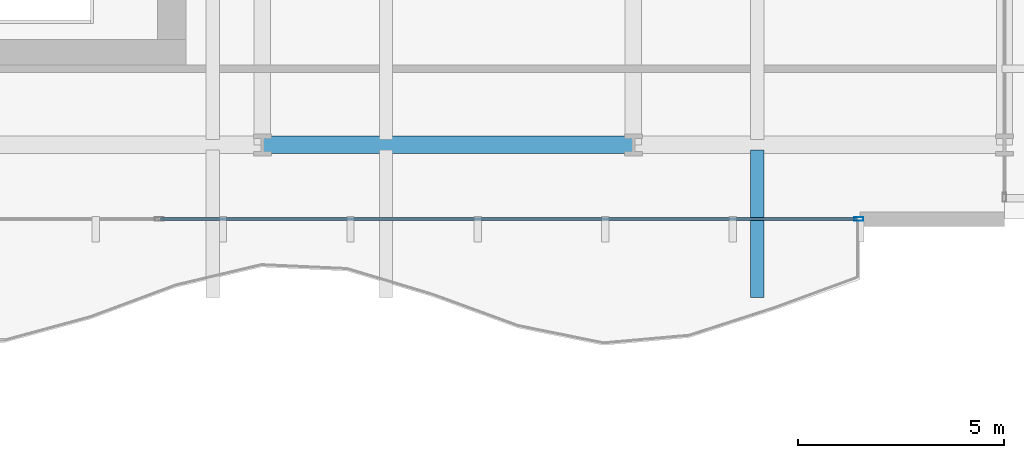
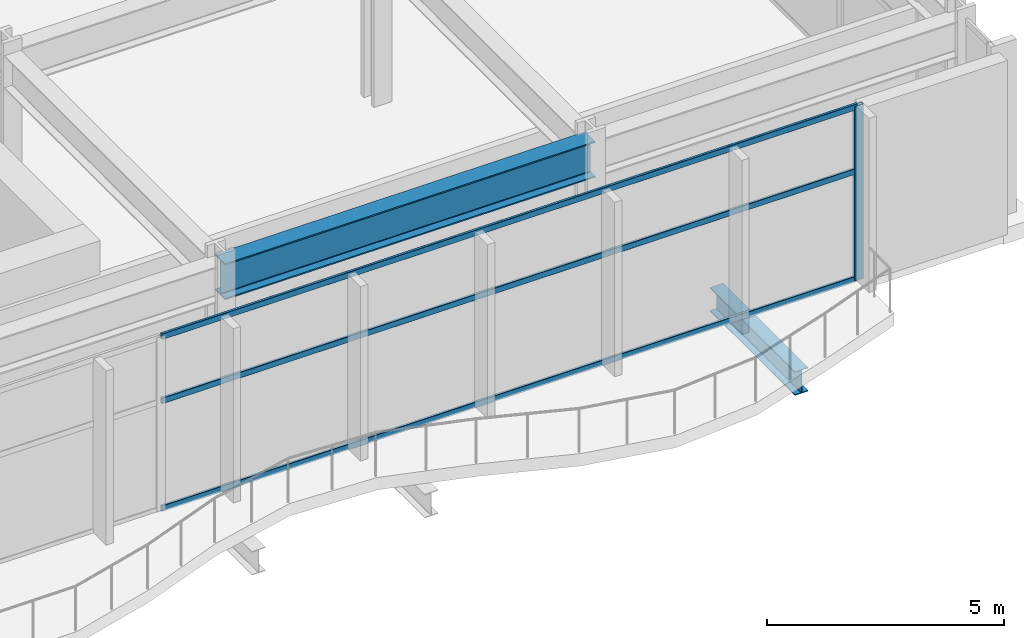
# One storey, part 8 of 29: 4 members, 2 beams, 1 element without a shape of its own.
"""IFC4 building model written with IfcOpenShell, lengths in metres."""

from ifc_helpers import new_model, si_unit, direction, frame, origin, origin_2d, place, context, subcontext, project, spatial, hollow_rectangle, i_section, extrude, material, layer, layer_set, material_profile, profile_set, type_object, element, aggregate, save


model = new_model("IFC4")

# Units and contexts
model_context = context("Model", 3, precision=1e-05, world=origin(), true_north=direction((0.0, 1.0)))
body_context = subcontext(model_context, "Body", "Model", "MODEL_VIEW")
ifc_project = project(units=[si_unit("LENGTHUNIT", "METRE"), si_unit("AREAUNIT", "SQUARE_METRE"), si_unit("VOLUMEUNIT", "CUBIC_METRE"), si_unit("PLANEANGLEUNIT", "RADIAN"), si_unit("MASSUNIT", "GRAM", prefix="KILO")], contexts=[model_context])

# Site, building, storey
site_placement = place(None, origin())
site = spatial("IfcSite", under=ifc_project, at=site_placement, CompositionType="ELEMENT")
building_placement = place(site_placement, origin())
building = spatial("IfcBuilding", under=site, at=building_placement, Name="Solvaryn Broadcast Tower", CompositionType="ELEMENT")
storey_placement = place(building_placement, frame((0.0, 0.0, 21.199951171875)))
storey = spatial("IfcBuildingStorey", under=building, at=storey_placement, Name="L04", CompositionType="ELEMENT", Elevation=21.199951171875)

# Beams
ifc_material_1 = material(Name="Steel ASTM A992 Grade 50", Category="steel")
ifc_material_profile_1 = material_profile(ifc_material_1, i_section(OverallWidth=0.323974609375, OverallDepth=0.611083984375, WebThickness=0.0126953125, FlangeThickness=0.01904296875, FilletRadius=0.014892578125, at=origin_2d()))
ifc_profile_set_1 = profile_set([ifc_material_profile_1], Name="Steel ASTM A992 Grade 50")
beam_type_1 = type_object("IfcBeamType", Name="BM-CANT-TER", PredefinedType="BEAM", material=ifc_profile_set_1)
beam_1_placement = place(storey_placement, frame((57.0, 8.875, -0.62548828125), z_axis=(0.0, -1.0, 0.0), x_axis=(1.0, 0.0, 0.0)))
element("IfcBeam", 1, at=beam_1_placement, inside=storey, type_object=beam_type_1, Name="L04 Terrace Cantilever Beam X57.0", PredefinedType="BEAM", context=body_context, shape_type="SweptSolid", body=[
    extrude(i_section(OverallWidth=0.323974609375, OverallDepth=0.611083984375, WebThickness=0.0126953125, FlangeThickness=0.01904296875, FilletRadius=0.014892578125, at=origin_2d()), origin(), (0.0, 0.0, 1.0), 3.574951171875),
])
ifc_material_2 = material(Name="Steel ASTM A992 Grade 50", Category="steel")
ifc_material_profile_2 = material_profile(ifc_material_2, i_section(OverallWidth=0.41796875, OverallDepth=0.927001953125, WebThickness=0.019287109375, FlangeThickness=0.031982421875, FilletRadius=0.02392578125, at=origin_2d()))
ifc_profile_set_2 = profile_set([ifc_material_profile_2], Name="Steel ASTM A992 Grade 50")
beam_type_2 = type_object("IfcBeamType", Name="BM-G2-W36X231", PredefinedType="BEAM", material=ifc_profile_set_2)
beam_2_placement = place(storey_placement, frame((45.0, 9.0, 4.0166015625), z_axis=(1.0, 0.0, 0.0), x_axis=(0.0, 1.0, 0.0)))
element("IfcBeam", 2, at=beam_2_placement, inside=storey, type_object=beam_type_2, Name="L04 Primary Beam X (45-54 @ Y=9)", PredefinedType="BEAM", context=body_context, shape_type="SweptSolid", body=[
    extrude(i_section(OverallWidth=0.41796875, OverallDepth=0.927001953125, WebThickness=0.019287109375, FlangeThickness=0.031982421875, FilletRadius=0.02392578125, at=origin_2d()), origin(), (0.0, 0.0, 1.0), 9.0),
])

# Curtain wall, members
ifc_material_3 = material(Name="Aluminium and Terracotta Unitised Curtain Wall", Category="masonry")
ifc_layer = layer(ifc_material_3, 0.219970703125)
ifc_layer_set = layer_set([ifc_layer], Name="CW-SYS1-PODIUM")
curtain_wall_type = type_object("IfcCurtainWallType", Name="CW-SYS1-PODIUM", PredefinedType="NOTDEFINED", material=ifc_layer_set)
curtain_wall_placement = place(storey_placement, origin())
curtain_wall = element("IfcCurtainWall", 3, at=curtain_wall_placement, inside=storey, type_object=curtain_wall_type, Name="L04 Podium Curtain Wall S1", PredefinedType="NOTDEFINED")
ifc_material_4 = material(Name="Anodised Aluminium 6063-T6", Category="aluminium")
ifc_material_profile_3 = material_profile(ifc_material_4, hollow_rectangle(XDim=0.0849609375, YDim=0.219970703125, WallThickness=0.0048828125, InnerFilletRadius=0.0048828125, OuterFilletRadius=0.010009765625, at=origin_2d()))
ifc_profile_set_3 = profile_set([ifc_material_profile_3], Name="Anodised Aluminium 6063-T6")
member_type_1 = type_object("IfcMemberType", Name="CW-MUL-220", PredefinedType="MULLION", material=ifc_profile_set_3)
member_1_placement = place(storey_placement, frame((59.469970703125, 7.199951171875, 0.0), z_axis=(0.0, 0.0, 1.0), x_axis=(0.0, -1.0, 0.0)))
member_1 = element("IfcMember", 4, at=member_1_placement, type_object=member_type_1, Name="CWS1 mullion 1", PredefinedType="MULLION", context=body_context, shape_type="SweptSolid", body=[
    extrude(hollow_rectangle(XDim=0.0849609375, YDim=0.219970703125, WallThickness=0.0048828125, InnerFilletRadius=0.0048828125, OuterFilletRadius=0.010009765625, at=origin_2d()), origin(), (0.0, 0.0, 1.0), 4.47998046875),
])
ifc_material_5 = material(Name="Anodised Aluminium 6063-T6", Category="aluminium")
ifc_material_profile_4 = material_profile(ifc_material_5, hollow_rectangle(XDim=0.06494140625, YDim=0.14990234375, WallThickness=0.00390625, InnerFilletRadius=0.00390625, OuterFilletRadius=0.008056640625, at=origin_2d()))
ifc_profile_set_4 = profile_set([ifc_material_profile_4], Name="Anodised Aluminium 6063-T6")
member_type_2 = type_object("IfcMemberType", Name="CW-TRN-150", PredefinedType="USERDEFINED", material=ifc_profile_set_4)
member_2_placement = place(storey_placement, frame((59.43994140625, 7.199951171875, 0.030029296875), z_axis=(-1.0, 0.0, 0.0), x_axis=(0.0, -1.0, 0.0)))
member_2 = element("IfcMember", 5, at=member_2_placement, type_object=member_type_2, Name="CWS1 transom 1.1", ObjectType="TRANSOM", PredefinedType="USERDEFINED", context=body_context, shape_type="SweptSolid", body=[
    extrude(hollow_rectangle(XDim=0.06494140625, YDim=0.14990234375, WallThickness=0.00390625, InnerFilletRadius=0.00390625, OuterFilletRadius=0.008056640625, at=origin_2d()), origin(), (0.0, 0.0, 1.0), 16.909912109375),
])
member_3_placement = place(storey_placement, frame((59.43994140625, 7.199951171875, 2.800048828125), z_axis=(-1.0, 0.0, 0.0), x_axis=(0.0, -1.0, 0.0)))
member_3 = element("IfcMember", 6, at=member_3_placement, type_object=member_type_2, Name="CWS1 transom 1.2", ObjectType="TRANSOM", PredefinedType="USERDEFINED", context=body_context, shape_type="SweptSolid", body=[
    extrude(hollow_rectangle(XDim=0.06494140625, YDim=0.14990234375, WallThickness=0.00390625, InnerFilletRadius=0.00390625, OuterFilletRadius=0.008056640625, at=origin_2d()), origin(), (0.0, 0.0, 1.0), 16.909912109375),
])
member_4_placement = place(storey_placement, frame((59.43994140625, 7.199951171875, 4.449951171875), z_axis=(-1.0, 0.0, 0.0), x_axis=(0.0, -1.0, 0.0)))
member_4 = element("IfcMember", 7, at=member_4_placement, type_object=member_type_2, Name="CWS1 transom 1.3", ObjectType="TRANSOM", PredefinedType="USERDEFINED", context=body_context, shape_type="SweptSolid", body=[
    extrude(hollow_rectangle(XDim=0.06494140625, YDim=0.14990234375, WallThickness=0.00390625, InnerFilletRadius=0.00390625, OuterFilletRadius=0.008056640625, at=origin_2d()), origin(), (0.0, 0.0, 1.0), 16.909912109375),
])
aggregate(curtain_wall, [member_1, member_2, member_3, member_4])

save(model, "model.ifc")
